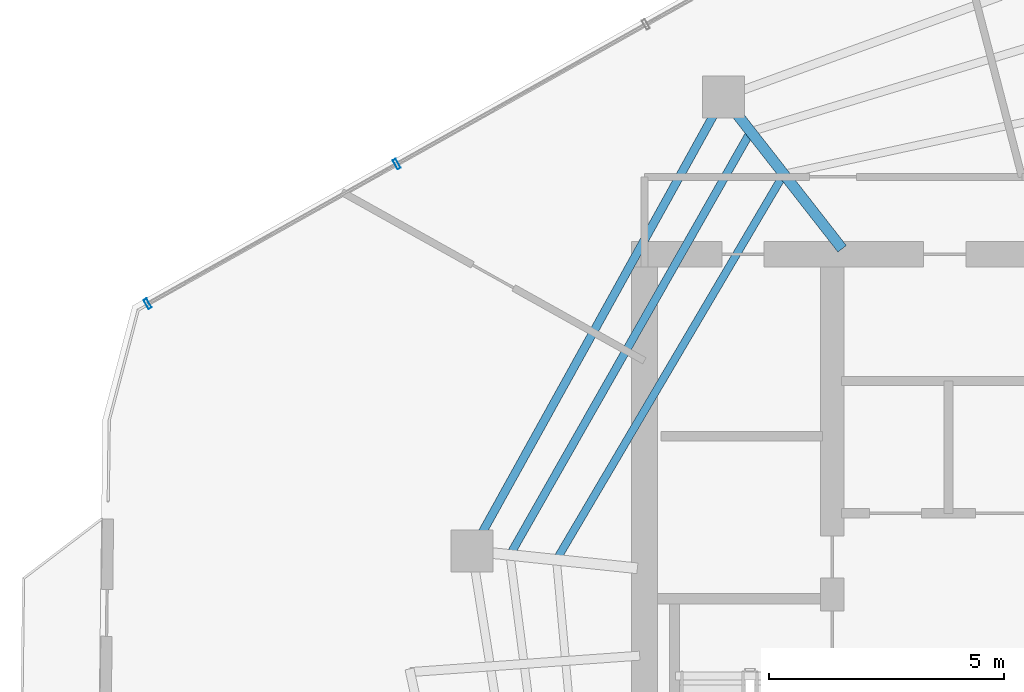
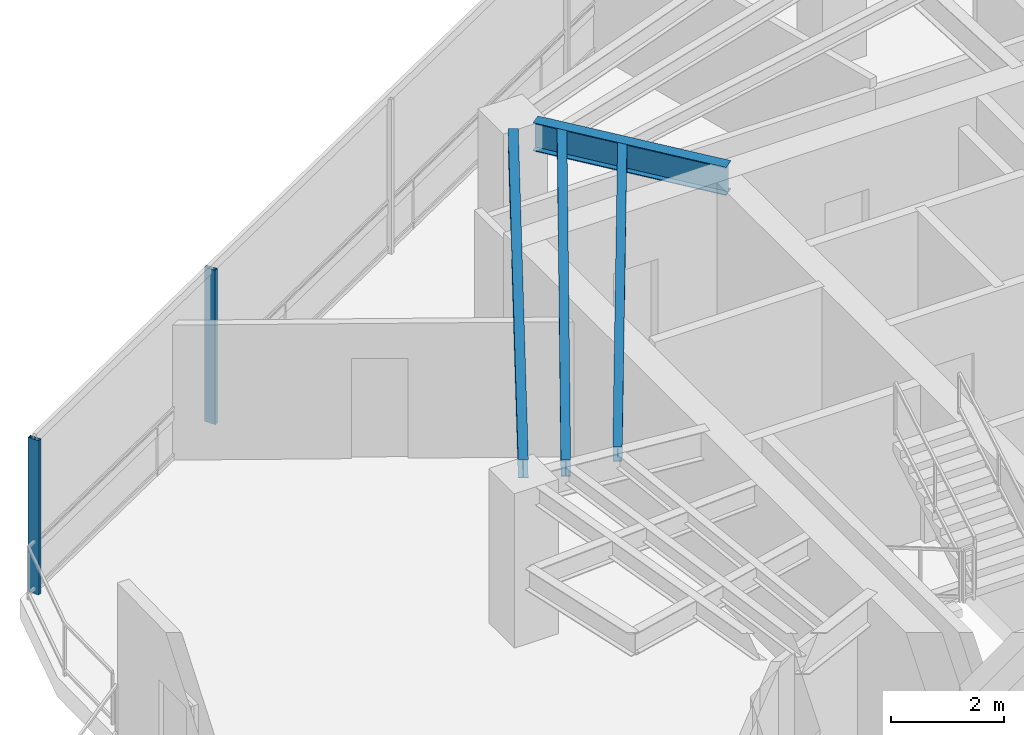
# One storey, part 5 of 18: 4 beams, 2 members, 1 element without a shape of its own.
"""IFC4 building model written with IfcOpenShell, lengths in metres."""

import ifcopenshell
import ifcopenshell.guid

model = None  # the IFC model being written
_history = None  # IfcOwnerHistory: only IFC2X3 demands one
_inside = {}  # id of a spatial element -> (the spatial element, [elements in it])
_under = {}  # id of a project, library or spatial element -> (it, [spatial elements below it])
_declared = {}  # id of a project -> (the project, [libraries it declares])
_typed = {}  # id of a type object -> (the type object, [elements of that type])
_made_of = {}  # id of a material, layer set ... -> (it, [elements and type objects made of it])


def new_model(schema):
    """Start an empty IFC model of exactly this schema.

    Asked for "IFC4X3", IfcOpenShell would pick the latest addendum, in which some entities
    have other attributes; the version numbers below select the first issue.
    IFC2X3 requires an IfcOwnerHistory on every rooted entity: one is made here for all.
    """
    global model, _history
    if schema == "IFC4X3":
        model = ifcopenshell.file(schema_version=(4, 3, 0, 0))
    else:
        model = ifcopenshell.file(schema=schema)
    _inside.clear()
    _under.clear()
    _declared.clear()
    _typed.clear()
    _made_of.clear()
    _history = None
    if model.schema == "IFC2X3":
        org = make("IfcOrganization", Name="unknown")
        user = make(
            "IfcPersonAndOrganization",
            ThePerson=make("IfcPerson", FamilyName="unknown"),
            TheOrganization=org,
        )
        app = make(
            "IfcApplication",
            ApplicationDeveloper=org,
            Version="unknown",
            ApplicationFullName="unknown",
            ApplicationIdentifier="unknown",
        )
        _history = make(
            "IfcOwnerHistory",
            OwningUser=user,
            OwningApplication=app,
            ChangeAction="ADDED",
            CreationDate=0,
        )
    return model


def make(cls, **values):
    """One entity of the class cls with the attributes given. An attribute that is None is left unset."""
    return model.create_entity(
        cls, **{name: value for name, value in values.items() if value is not None}
    )


def rooted(cls, **values):
    """An entity with a GlobalId (a new one), such as an element, a storey or a relation."""
    return make(cls, GlobalId=ifcopenshell.guid.new(), OwnerHistory=_history, **values)


def si_unit(unit_type, name, prefix=None):
    """IfcSIUnit, for example si_unit("LENGTHUNIT", "METRE", prefix="MILLI")."""
    return make("IfcSIUnit", UnitType=unit_type, Prefix=prefix, Name=name)


def assignment(units):
    """IfcUnitAssignment: the units of a project."""
    return None if units is None else make("IfcUnitAssignment", Units=units)


def point(xyz):
    """IfcCartesianPoint."""
    return None if xyz is None else make("IfcCartesianPoint", Coordinates=xyz)


def direction(xyz):
    """IfcDirection."""
    return None if xyz is None else make("IfcDirection", DirectionRatios=xyz)


def frame(location, z_axis=None, x_axis=None):
    """IfcAxis2Placement3D, a coordinate frame: its origin and axes. An axis left out is left unset."""
    return make(
        "IfcAxis2Placement3D",
        Location=point(location),
        Axis=direction(z_axis),
        RefDirection=direction(x_axis),
    )


def frame_2d(location, x_axis=None):
    """IfcAxis2Placement2D, a coordinate frame in the plane: its origin and x axis."""
    return make(
        "IfcAxis2Placement2D", Location=point(location), RefDirection=direction(x_axis)
    )


def origin():
    """The frame at (0, 0, 0) with its axes left unset."""
    return frame((0.0, 0.0, 0.0))


def origin_2d():
    """The frame at (0, 0) in the plane with its x axis left unset."""
    return frame_2d((0.0, 0.0))


def place(relative_to, where):
    """IfcLocalPlacement: puts the frame where relative to a parent placement (None: the world)."""
    return make(
        "IfcLocalPlacement", PlacementRelTo=relative_to, RelativePlacement=where
    )


def context(
    kind, dimensions, precision=None, world=None, true_north=None, identifier=None
):
    """IfcGeometricRepresentationContext, for example the 3D "Model" context."""
    return make(
        "IfcGeometricRepresentationContext",
        ContextIdentifier=identifier,
        ContextType=kind,
        CoordinateSpaceDimension=dimensions,
        Precision=precision,
        WorldCoordinateSystem=world,
        TrueNorth=true_north,
    )


def subcontext(parent, identifier, kind, view, scale=None):
    """IfcGeometricRepresentationSubContext, for example "Body" below "Model"."""
    return make(
        "IfcGeometricRepresentationSubContext",
        ContextIdentifier=identifier,
        ContextType=kind,
        ParentContext=parent,
        TargetScale=scale,
        TargetView=view,
    )


def project(units=None, contexts=None):
    """IfcProject with its units and contexts."""
    return rooted(
        "IfcProject",
        Name="project",
        RepresentationContexts=contexts,
        UnitsInContext=assignment(units),
    )


def spatial(cls, under=None, at=None, **own):
    """A site, building, storey or space (cls), placed at a placement, below another one or the project."""
    s = rooted(cls, ObjectPlacement=at, **own)
    if under is not None:
        _under.setdefault(under.id(), (under, []))[1].append(s)
    return s


def profile(cls, at=None, kind="AREA", **sizes):
    """A parametric profile (cls). Its sizes go by their IFC names, for example OverallWidth=200.0."""
    return make(cls, ProfileType=kind, Position=at, **sizes)


def hollow_rectangle(**sizes):
    """IfcRectangleHollowProfileDef."""
    return profile("IfcRectangleHollowProfileDef", **sizes)


def i_section(**sizes):
    """IfcIShapeProfileDef."""
    return profile("IfcIShapeProfileDef", **sizes)


def extrude(swept, where, along, depth):
    """IfcExtrudedAreaSolid: the profile swept, set in the frame where, extruded along a direction by depth."""
    return make(
        "IfcExtrudedAreaSolid",
        SweptArea=swept,
        Position=where,
        ExtrudedDirection=direction(along),
        Depth=depth,
    )


def shape(context_of_items, identifier, shape_type, items):
    """IfcShapeRepresentation: the items that make up one representation, for example the "Body"."""
    return make(
        "IfcShapeRepresentation",
        ContextOfItems=context_of_items,
        RepresentationIdentifier=identifier,
        RepresentationType=shape_type,
        Items=items,
    )


def material(Name=None, Category=None):
    """IfcMaterial."""
    return make("IfcMaterial", Name=Name, Category=Category)


def layer(
    of_material, thickness, ventilated=None, Name=None, Category=None, Priority=None
):
    """IfcMaterialLayer: one layer of a wall or slab, of a material (None: an air gap)."""
    return make(
        "IfcMaterialLayer",
        Material=of_material,
        LayerThickness=thickness,
        IsVentilated=ventilated,
        Name=Name,
        Category=Category,
        Priority=Priority,
    )


def layer_set(layers, Name=None):
    """IfcMaterialLayerSet."""
    return make("IfcMaterialLayerSet", MaterialLayers=layers, LayerSetName=Name)


def material_profile(
    of_material, cross_section, Name=None, Category=None, Priority=None
):
    """IfcMaterialProfile: a cross section and its material."""
    return make(
        "IfcMaterialProfile",
        Name=Name,
        Material=of_material,
        Profile=cross_section,
        Priority=Priority,
        Category=Category,
    )


def profile_set(profiles, Name=None, composite=None):
    """IfcMaterialProfileSet."""
    return make(
        "IfcMaterialProfileSet",
        Name=Name,
        MaterialProfiles=profiles,
        CompositeProfile=composite,
    )


def made_of(thing, what):
    """Note that an element or type object is made of a material, layer set ...; save() writes the relation."""
    if what is not None:
        _made_of.setdefault(what.id(), (what, []))[1].append(thing)
    return thing


def type_object(cls, material=None, **own):
    """A type object (cls), such as IfcWallType, which elements share."""
    return made_of(rooted(cls, **own), material)


def element(
    cls,
    number,
    at=None,
    inside=None,
    cuts=None,
    type_object=None,
    material=None,
    context=None,
    identifier="Body",
    shape_type=None,
    held_by="IfcProductDefinitionShape",
    body=None,
    shapes=None,
    **own,
):
    """One element of the class cls, such as IfcWall. Its Tag is "e" and its number.

    at: its placement. inside: the storey or other place that contains it. cuts: it is an
    opening in that element (IfcRelVoidsElement). A single representation is given by context,
    identifier, shape_type and body (its items); several are given by shapes. held_by: the class
    of the entity that holds the representations. save() writes the other relations.
    """
    e = rooted(cls, Tag="e%d" % number, ObjectPlacement=at, **own)
    if body is not None:
        shapes = [shape(context, identifier, shape_type, body)]
    if shapes is not None:
        e.Representation = make(held_by, Representations=shapes)
    if inside is not None:
        _inside.setdefault(inside.id(), (inside, []))[1].append(e)
    if cuts is not None:
        rooted(
            "IfcRelVoidsElement", RelatingBuildingElement=cuts, RelatedOpeningElement=e
        )
    if type_object is not None:
        _typed.setdefault(type_object.id(), (type_object, []))[1].append(e)
    return made_of(e, material)


def aggregate(whole, parts):
    """IfcRelAggregates: a whole, such as a stair, and the parts it consists of."""
    return rooted("IfcRelAggregates", RelatingObject=whole, RelatedObjects=parts)


def save(model, path):
    """Write the relations noted so far, then the file.

    IfcRelAggregates (storeys below a building ...), IfcRelContainedInSpatialStructure (elements
    in a storey), IfcRelDefinesByType, IfcRelAssociatesMaterial and IfcRelDeclares: one each for
    every whole, place, type object, material and project.
    """
    for whole, parts in _under.values():
        aggregate(whole, parts)
    for where, things in _inside.values():
        rooted(
            "IfcRelContainedInSpatialStructure",
            RelatedElements=things,
            RelatingStructure=where,
        )
    for kind, things in _typed.values():
        rooted("IfcRelDefinesByType", RelatedObjects=things, RelatingType=kind)
    for what, things in _made_of.values():
        rooted("IfcRelAssociatesMaterial", RelatedObjects=things, RelatingMaterial=what)
    for by, libraries in _declared.values():
        rooted("IfcRelDeclares", RelatingContext=by, RelatedDefinitions=libraries)
    model.write(path)


model = new_model("IFC4")

# Units and contexts
model_context = context("Model", 3, precision=1e-05, world=origin(), true_north=direction((0.0, 1.0)))
body_context = subcontext(model_context, "Body", "Model", "MODEL_VIEW")
ifc_project = project(units=[si_unit("LENGTHUNIT", "METRE"), si_unit("AREAUNIT", "SQUARE_METRE"), si_unit("VOLUMEUNIT", "CUBIC_METRE"), si_unit("PLANEANGLEUNIT", "RADIAN"), si_unit("MASSUNIT", "GRAM", prefix="KILO")], contexts=[model_context])

# Site, building, storey
site_placement = place(None, origin())
site = spatial("IfcSite", under=ifc_project, at=site_placement, CompositionType="ELEMENT")
building_placement = place(site_placement, origin())
building = spatial("IfcBuilding", under=site, at=building_placement, Name="Qarnah Convention Tower", CompositionType="ELEMENT")
storey_placement = place(building_placement, frame((0.0, 0.0, 177.0)))
storey = spatial("IfcBuildingStorey", under=building, at=storey_placement, Name="L47", CompositionType="ELEMENT", Elevation=177.0)

# Beams
ifc_material_1 = material(Name="Structural steel S355JR", Category="steel")
ifc_material_profile_1 = material_profile(ifc_material_1, i_section(OverallWidth=0.166015625, OverallDepth=0.31201171875, WebThickness=0.007080078125, FlangeThickness=0.010986328125, at=origin_2d()), Name="W310X45")
ifc_profile_set_1 = profile_set([ifc_material_profile_1], Name="Structural steel S355JR")
beam_type_1 = type_object("IfcBeamType", Name="BM-JST-W310", PredefinedType="JOIST", material=ifc_profile_set_1)
beam_1_placement = place(storey_placement, frame((29.72509765625, 35.830078125, 3.1640625), z_axis=(-0.507800878702, -0.861474472976, 0.0), x_axis=(0.861474472976, -0.507800878702, 0.0)))
element("IfcBeam", 1, at=beam_1_placement, inside=storey, type_object=beam_type_1, Name="L47 joist BM-L47-IJST-04", PredefinedType="JOIST", context=body_context, shape_type="SweptSolid", body=[
    extrude(i_section(OverallWidth=0.166015625, OverallDepth=0.31201171875, WebThickness=0.007080078125, FlangeThickness=0.010986328125, at=origin_2d()), origin(), (0.0, 0.0, 1.0), 9.3583984375),
])
ifc_material_profile_2 = material_profile(ifc_material_1, i_section(OverallWidth=0.172119140625, OverallDepth=0.35595703125, WebThickness=0.007080078125, FlangeThickness=0.011962890625, at=origin_2d()), Name="W360X51")
ifc_profile_set_2 = profile_set([ifc_material_profile_2], Name="Structural steel S355JR")
beam_type_2 = type_object("IfcBeamType", Name="BM-JST-W360", PredefinedType="JOIST", material=ifc_profile_set_2)
beam_2_placement = place(storey_placement, frame((29.02001953125, 36.735107421875, 3.14208984375), z_axis=(-0.494322447591, -0.869278619206, 0.0), x_axis=(0.869278619206, -0.494322447591, 0.0)))
element("IfcBeam", 2, at=beam_2_placement, inside=storey, type_object=beam_type_2, Name="L47 joist BM-L47-SJST-04", PredefinedType="JOIST", context=body_context, shape_type="SweptSolid", body=[
    extrude(i_section(OverallWidth=0.172119140625, OverallDepth=0.35595703125, WebThickness=0.007080078125, FlangeThickness=0.011962890625, at=origin_2d()), origin(), (0.0, 0.0, 1.0), 10.19580078125),
])
ifc_material_profile_3 = material_profile(ifc_material_1, i_section(OverallWidth=0.22802734375, OverallDepth=0.60791015625, WebThickness=0.010986328125, FlangeThickness=0.01708984375, at=origin_2d()), Name="W610X113")
ifc_profile_set_3 = profile_set([ifc_material_profile_3], Name="Structural steel S355JR")
beam_type_3 = type_object("IfcBeamType", Name="BM-RAD-W610B", PredefinedType="BEAM", material=ifc_profile_set_3)
beam_3_placement = place(storey_placement, frame((31.013916015625, 34.318115234375, 3.01611328125), z_axis=(-0.615807906571, 0.787896327066, 0.0), x_axis=(-0.787896327066, -0.615807906571, 0.0)))
element("IfcBeam", 3, at=beam_3_placement, inside=storey, type_object=beam_type_3, Name="L47 beam BM-L47-RAD-04", PredefinedType="BEAM", context=body_context, shape_type="SweptSolid", body=[
    extrude(i_section(OverallWidth=0.22802734375, OverallDepth=0.60791015625, WebThickness=0.010986328125, FlangeThickness=0.01708984375, at=origin_2d()), origin(), (0.0, 0.0, 1.0), 3.671630859375),
])
ifc_material_profile_4 = material_profile(ifc_material_1, i_section(OverallWidth=0.179931640625, OverallDepth=0.39990234375, WebThickness=0.009033203125, FlangeThickness=0.013916015625, at=origin_2d()), Name="IPE400")
ifc_profile_set_4 = profile_set([ifc_material_profile_4], Name="Structural steel S355JR")
beam_type_4 = type_object("IfcBeamType", Name="BM-SPN-IPE400", PredefinedType="SPANDREL", material=ifc_profile_set_4)
beam_4_placement = place(storey_placement, frame((28.27490234375, 37.1650390625, 3.1201171875), z_axis=(-0.48479945923, -0.874625339406, 0.0), x_axis=(0.874625339406, -0.48479945923, 0.0)))
element("IfcBeam", 4, at=beam_4_placement, inside=storey, type_object=beam_type_4, Name="L47 spandrel BM-L47-SPN-04", PredefinedType="SPANDREL", context=body_context, shape_type="SweptSolid", body=[
    extrude(i_section(OverallWidth=0.179931640625, OverallDepth=0.39990234375, WebThickness=0.009033203125, FlangeThickness=0.013916015625, at=origin_2d()), origin(), (0.0, 0.0, 1.0), 10.177001953125),
])

# Curtain wall, members
ifc_material_2 = material(Name="Tempered Low-E dark glass", Category="glass")
ifc_layer = layer(ifc_material_2, 0.174072265625)
ifc_layer_set = layer_set([ifc_layer], Name="Tempered Low-E dark glass")
curtain_wall_type = type_object("IfcCurtainWallType", Name="CWS-04", PredefinedType="NOTDEFINED", material=ifc_layer_set)
curtain_wall_placement = place(storey_placement, origin())
curtain_wall = element("IfcCurtainWall", 5, at=curtain_wall_placement, inside=storey, type_object=curtain_wall_type, Name="L47 unitised curtain wall CW-L47-F2", PredefinedType="NOTDEFINED")
ifc_material_3 = material(Name="Black anodised aluminium", Category="aluminium")
ifc_material_profile_5 = material_profile(ifc_material_3, hollow_rectangle(XDim=0.074951171875, YDim=0.219970703125, WallThickness=0.0048828125, at=origin_2d()), Name="MUL-75X220")
ifc_profile_set_5 = profile_set([ifc_material_profile_5], Name="Black anodised aluminium")
member_type = type_object("IfcMemberType", Name="MUL-T4", PredefinedType="MULLION", material=ifc_profile_set_5)
member_1_placement = place(storey_placement, frame((16.214111328125, 33.14501953125, 0.0), z_axis=(0.0, 0.0, 1.0), x_axis=(0.872234676791, 0.489087587865, 0.0)))
member_1 = element("IfcMember", 6, at=member_1_placement, type_object=member_type, Name="CW-L47-F2 mullion 1", PredefinedType="MULLION", context=body_context, shape_type="SweptSolid", body=[
    extrude(hollow_rectangle(XDim=0.074951171875, YDim=0.219970703125, WallThickness=0.0048828125, at=origin_2d()), origin(), (0.0, 0.0, 1.0), 3.320068359375),
])
member_2_placement = place(storey_placement, frame((21.522705078125, 36.121826171875, 0.0), z_axis=(0.0, 0.0, 1.0), x_axis=(0.872234676791, 0.489087587865, 0.0)))
member_2 = element("IfcMember", 7, at=member_2_placement, type_object=member_type, Name="CW-L47-F2 mullion 2", PredefinedType="MULLION", context=body_context, shape_type="SweptSolid", body=[
    extrude(hollow_rectangle(XDim=0.074951171875, YDim=0.219970703125, WallThickness=0.0048828125, at=origin_2d()), origin(), (0.0, 0.0, 1.0), 3.320068359375),
])
aggregate(curtain_wall, [member_1, member_2])

save(model, "model.ifc")
